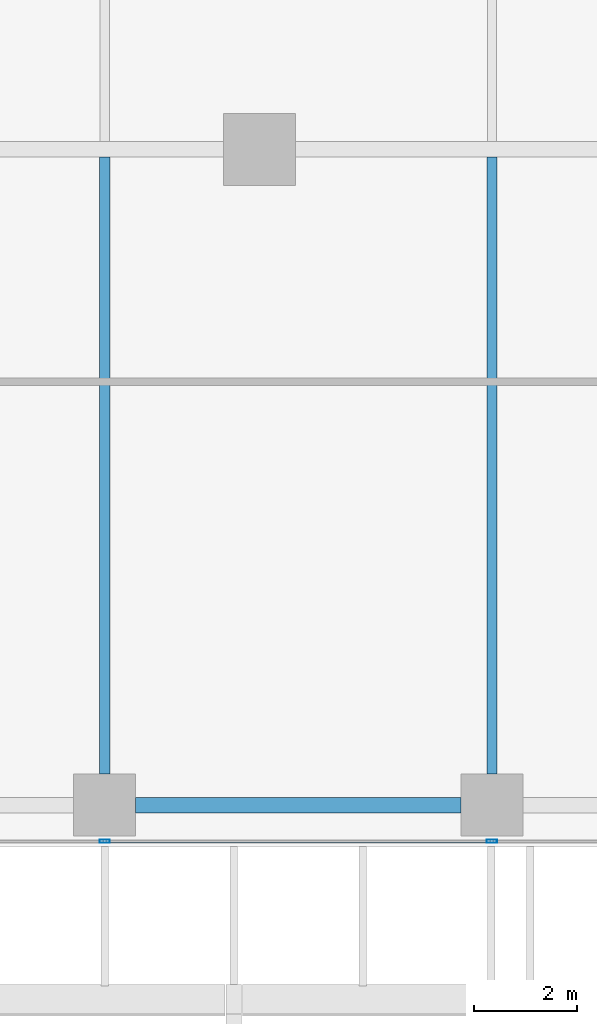
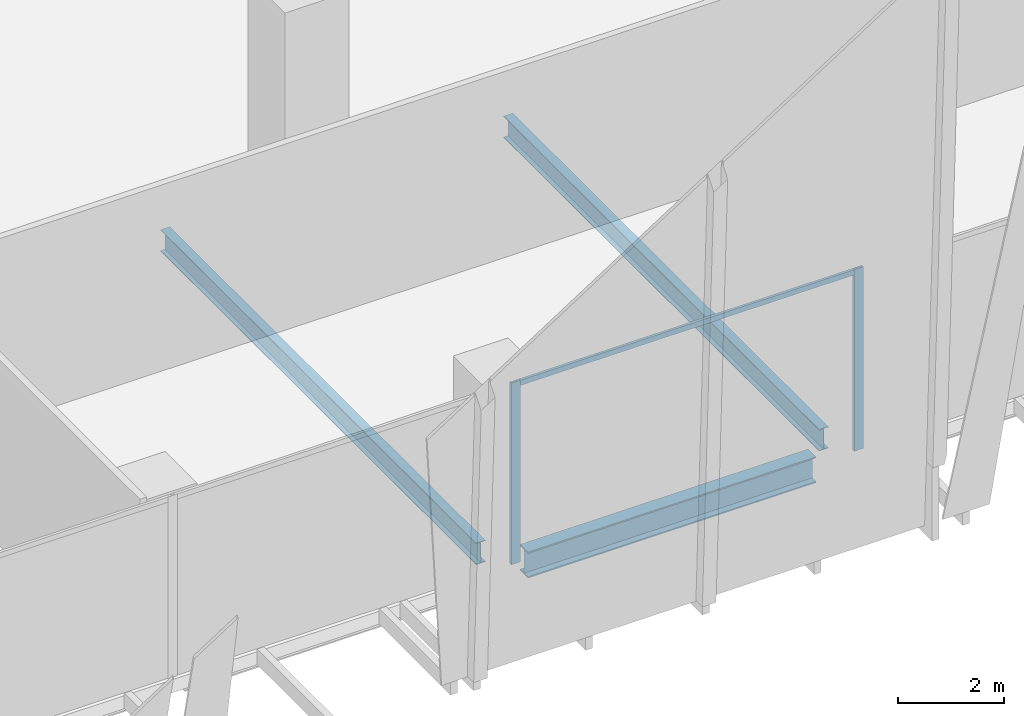
# One storey, part 7 of 34: 3 beams, 3 members, 1 element without a shape of its own.
"""IFC4 building model written with IfcOpenShell, lengths in metres."""

from ifc_helpers import new_model, si_unit, direction, frame, origin, origin_2d, place, context, subcontext, project, spatial, hollow_rectangle, i_section, extrude, source, transform, mapped, material, material_profile, profile_set, type_object, element, aggregate, save


model = new_model("IFC4")

# Units and contexts
model_context = context("Model", 3, precision=1e-05, world=origin(), true_north=direction((0.0, 1.0)))
body_context = subcontext(model_context, "Body", "Model", "MODEL_VIEW")
ifc_project = project(units=[si_unit("LENGTHUNIT", "METRE"), si_unit("AREAUNIT", "SQUARE_METRE"), si_unit("VOLUMEUNIT", "CUBIC_METRE"), si_unit("PLANEANGLEUNIT", "RADIAN"), si_unit("MASSUNIT", "GRAM", prefix="KILO")], contexts=[model_context])

# Site, building, storey
site_placement = place(None, origin())
site = spatial("IfcSite", under=ifc_project, at=site_placement, CompositionType="ELEMENT")
building_placement = place(site_placement, origin())
building = spatial("IfcBuilding", under=site, at=building_placement, Name="Khomas Fold Tower", CompositionType="ELEMENT")
storey_placement = place(building_placement, frame((0.0, 0.0, 73.5)))
storey = spatial("IfcBuildingStorey", under=building, at=storey_placement, Name="L15", CompositionType="ELEMENT", Elevation=73.5)

# Beams
ifc_material_1 = material(Name="Steel S355", Category="steel")
ifc_material_profile_1 = material_profile(ifc_material_1, i_section(OverallWidth=0.300048828125, OverallDepth=0.60009765625, WebThickness=0.015380859375, FlangeThickness=0.030029296875, at=origin_2d()), Name="HE 600 B")
ifc_profile_set_1 = profile_set([ifc_material_profile_1], Name="Steel S355")
beam_type_1 = type_object("IfcBeamType", Name="HE 600 B spandrel SB1", PredefinedType="SPANDREL", material=ifc_profile_set_1)
shared_shape_1 = source(origin(), body_context, "Body", "SweptSolid", [
    extrude(i_section(OverallWidth=0.300048828125, OverallDepth=0.60009765625, WebThickness=0.015380859375, FlangeThickness=0.030029296875, at=origin_2d()), origin(), (0.0, 0.0, 1.0), 6.2998046875),
])
beam_placement = place(storey_placement, frame((35.10009765625, 0.800048828125, -0.60009765625), z_axis=(1.0, 0.0, 0.0), x_axis=(0.0, 1.0, 0.0)))
element("IfcBeam", 1, at=beam_placement, inside=storey, type_object=beam_type_1, Name="SB1", PredefinedType="SPANDREL", context=body_context, shape_type="MappedRepresentation", body=[
    mapped(shared_shape_1, transform((0.0, 0.0, 0.0))),
])
ifc_material_2 = material(Name="Steel S355", Category="steel")
ifc_material_profile_2 = material_profile(ifc_material_2, i_section(OverallWidth=0.199951171875, OverallDepth=0.5, WebThickness=0.01025390625, FlangeThickness=0.01611328125, at=origin_2d()), Name="IPE 500")
ifc_profile_set_2 = profile_set([ifc_material_profile_2], Name="Steel S355")
beam_type_2 = type_object("IfcBeamType", Name="IPE 500 beam JB5", PredefinedType="BEAM", material=ifc_profile_set_2)
shared_shape_2 = source(origin(), body_context, "Body", "SweptSolid", [
    extrude(i_section(OverallWidth=0.199951171875, OverallDepth=0.5, WebThickness=0.01025390625, FlangeThickness=0.01611328125, at=origin_2d()), origin(), (0.0, 0.0, 1.0), 11.9501953125),
])
for number, where, z_axis, x_axis, name in (
    (2, (34.5, 1.39990234375, -0.550048828125), (0.0, 1.0, 0.0), (-1.0, 0.0, 0.0), "JB5"),
    (3, (42.0, 1.39990234375, -0.550048828125), (0.0, 1.0, 0.0), (-1.0, 0.0, 0.0), "JB5"),
):
    element("IfcBeam", number, at=place(storey_placement, frame(where, z_axis=z_axis, x_axis=x_axis)), inside=storey, type_object=beam_type_2, Name=name, PredefinedType="BEAM", context=body_context, shape_type="MappedRepresentation", body=[
        mapped(shared_shape_2, transform((0.0, 0.0, 0.0))),
    ])

# Curtain wall, members
ifc_material_3 = material(Name="Aluminium framed double glazing", Category="aluminium")
curtain_wall_type = type_object("IfcCurtainWallType", Name="SK-Unitised clear-glass wall, growing floors CW1", PredefinedType="NOTDEFINED", material=ifc_material_3)
curtain_wall_placement = place(storey_placement, origin())
curtain_wall = element("IfcCurtainWall", 4, at=curtain_wall_placement, inside=storey, type_object=curtain_wall_type, Name="CW1 run L15 00-0", PredefinedType="NOTDEFINED")
ifc_material_4 = material(Name="Aluminium", Category="aluminium")
ifc_material_profile_3 = material_profile(ifc_material_4, hollow_rectangle(XDim=0.06005859375, YDim=0.1201171875, WallThickness=0.00390625, at=origin_2d()), Name="SK-Unitised clear-glass wall, growing floors transom CW1-T")
ifc_profile_set_3 = profile_set([ifc_material_profile_3], Name="Aluminium")
member_type_1 = type_object("IfcMemberType", Name="SK-Unitised clear-glass wall, growing floors transom CW1-T", PredefinedType="USERDEFINED", material=ifc_profile_set_3)
shared_shape_3 = source(origin(), body_context, "Body", "SweptSolid", [
    extrude(hollow_rectangle(XDim=0.06005859375, YDim=0.1201171875, WallThickness=0.00390625, at=origin_2d()), origin(), (0.0, 0.0, 1.0), 7.43994140625),
])
member_1_placement = place(storey_placement, frame((34.530029296875, 0.10009765625, 4.139892578125), z_axis=(1.0, 0.0, 0.0), x_axis=(0.0, 1.0, 0.0)))
member_1 = element("IfcMember", 5, at=member_1_placement, type_object=member_type_1, Name="CW1 transom 6", ObjectType="TRANSOM", PredefinedType="USERDEFINED", context=body_context, shape_type="MappedRepresentation", body=[
    mapped(shared_shape_3, transform((0.0, 0.0, 0.0))),
])
ifc_material_5 = material(Name="Aluminium", Category="aluminium")
ifc_material_profile_4 = material_profile(ifc_material_5, hollow_rectangle(XDim=0.06005859375, YDim=0.199951171875, WallThickness=0.00390625, at=origin_2d()), Name="SK-Unitised clear-glass wall, growing floors mullion CW1-M")
ifc_profile_set_4 = profile_set([ifc_material_profile_4], Name="Aluminium")
member_type_2 = type_object("IfcMemberType", Name="SK-Unitised clear-glass wall, growing floors mullion CW1-M", PredefinedType="MULLION", material=ifc_profile_set_4)
shared_shape_4 = source(origin(), body_context, "Body", "SweptSolid", [
    extrude(hollow_rectangle(XDim=0.06005859375, YDim=0.199951171875, WallThickness=0.00390625, at=origin_2d()), origin(), (0.0, 0.0, 1.0), 4.199951171875),
])
member_2_placement = place(storey_placement, frame((34.5, 0.10009765625, 0.0), z_axis=(0.0, 0.0, 1.0), x_axis=(0.0, 1.0, 0.0)))
member_2 = element("IfcMember", 6, at=member_2_placement, type_object=member_type_2, Name="CW1 mullion 6", PredefinedType="MULLION", context=body_context, shape_type="MappedRepresentation", body=[
    mapped(shared_shape_4, transform((0.0, 0.0, 0.0))),
])
member_3_placement = place(storey_placement, frame((42.0, 0.10009765625, 0.0), z_axis=(0.0, 0.0, 1.0), x_axis=(0.0, 1.0, 0.0)))
member_3 = element("IfcMember", 7, at=member_3_placement, type_object=member_type_2, Name="CW1 mullion 7", PredefinedType="MULLION", context=body_context, shape_type="MappedRepresentation", body=[
    mapped(shared_shape_4, transform((0.0, 0.0, 0.0))),
])
aggregate(curtain_wall, [member_2, member_3, member_1])

save(model, "model.ifc")
